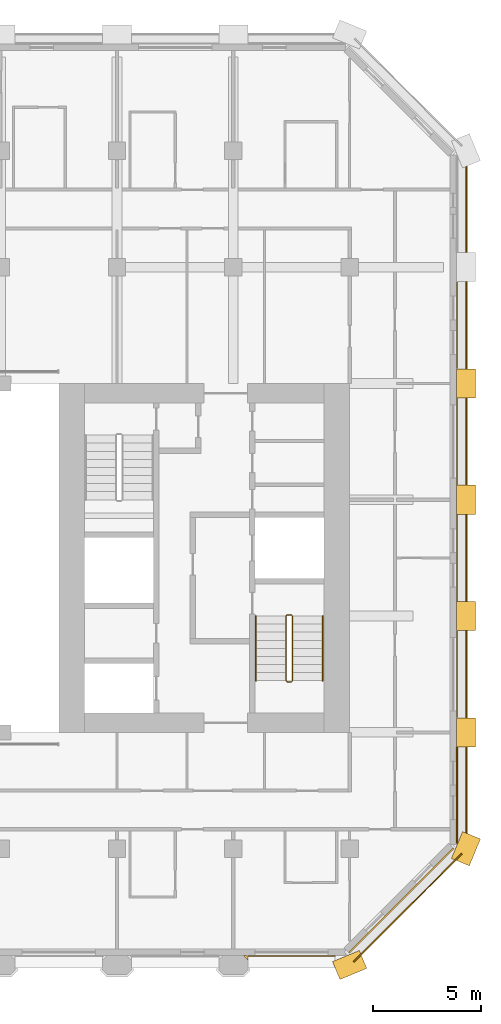
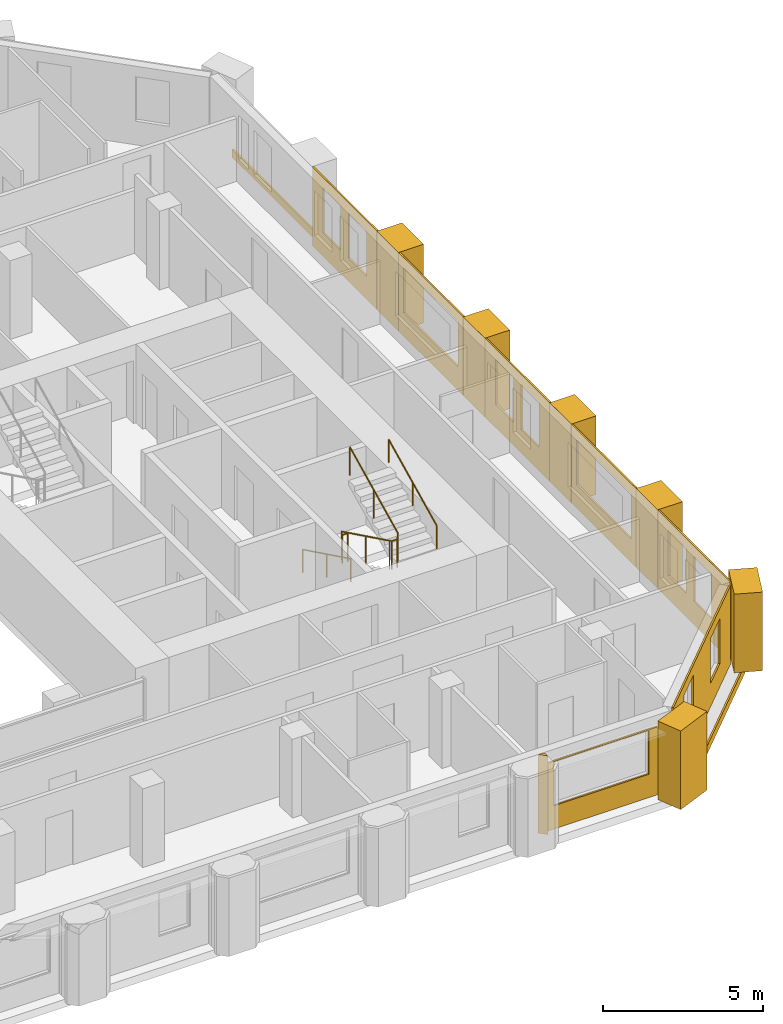
# One storey, part 11 of 12: 16 coverings, 3 railings.
"""IFC4 building model written with IfcOpenShell, lengths in metres."""

from ifc_helpers import new_model, si_unit, direction, frame, frame_2d, origin, origin_2d, place, context, subcontext, project, spatial, polyline, rectangle, circle, outline, extrude, material, layer, layer_set, type_object, element, save


model = new_model("IFC4")

# Units and contexts
model_context = context("Model", 3, precision=1e-05, world=origin(), true_north=direction((0.0, 1.0)))
body_context = subcontext(model_context, "Body", "Model", "MODEL_VIEW")
ifc_project = project(units=[si_unit("LENGTHUNIT", "METRE"), si_unit("AREAUNIT", "SQUARE_METRE"), si_unit("VOLUMEUNIT", "CUBIC_METRE"), si_unit("PLANEANGLEUNIT", "RADIAN"), si_unit("MASSUNIT", "GRAM", prefix="KILO")], contexts=[model_context])

# Site, building, storey
site_placement = place(None, origin())
site = spatial("IfcSite", under=ifc_project, at=site_placement, CompositionType="ELEMENT")
building_placement = place(site_placement, origin())
building = spatial("IfcBuilding", under=site, at=building_placement, Name="Tabaq Tower and Sports Hall", CompositionType="ELEMENT")
storey_placement = place(building_placement, frame((0.0, 0.0, 197.199951171875)))
storey = spatial("IfcBuildingStorey", under=building, at=storey_placement, Name="L48", CompositionType="ELEMENT", Elevation=197.199951171875)

# Coverings
ifc_material_1 = material(Name="Precast concrete C60/75", Category="concrete")
ifc_layer_1 = layer(ifc_material_1, 0.10009765625)
ifc_layer_set_1 = layer_set([ifc_layer_1], Name="Column cladding 100")
covering_type_1 = type_object("IfcCoveringType", Name="Column cladding 100", PredefinedType="CLADDING", material=ifc_layer_set_1)
covering_1_placement = place(storey_placement, origin())
element("IfcCovering", 1, at=covering_1_placement, inside=storey, type_object=covering_type_1, Name="Column cladding L48 PC-8B-H2 3", PredefinedType="CLADDING", context=body_context, shape_type="SweptSolid", body=[
    extrude(outline(polyline([(38.474365234375, 5.62646484375), (38.25146484375, 5.849365234375), (38.39111328125, 5.849365234375), (38.474365234375, 5.76611328125), (38.474365234375, 5.62646484375)])), origin(), (0.0, 0.0, 1.0), 3.0),
])
ifc_material_2 = material(Name="Precast concrete C60/75", Category="concrete")
ifc_layer_2 = layer(ifc_material_2, 0.06005859375)
ifc_layer_set_2 = layer_set([ifc_layer_2], Name="Edge beam cladding 60")
covering_type_2 = type_object("IfcCoveringType", Name="Edge beam cladding 60", PredefinedType="CLADDING", material=ifc_layer_set_2)
covering_2_placement = place(storey_placement, frame((43.39794921875, 5.5556640625, -0.300048828125), z_axis=(0.0, 0.0, 1.0), x_axis=(0.707124002701, 0.707089559252, 0.0)))
element("IfcCovering", 2, at=covering_2_placement, inside=storey, type_object=covering_type_2, Name="Edge beam cladding L48 1", PredefinedType="CLADDING", context=body_context, shape_type="SweptSolid", body=[
    extrude(rectangle(XDim=7.088134765625, YDim=0.06005859375, at=frame_2d((3.5439453125, 0.0))), origin(), (0.0, 0.0, 1.0), 0.300048828125),
])
covering_3_placement = place(storey_placement, frame((48.6298828125, 11.0986328125, -0.300048828125), z_axis=(0.0, 0.0, 1.0), x_axis=(0.0, 1.0, 0.0)))
element("IfcCovering", 3, at=covering_3_placement, inside=storey, type_object=covering_type_2, Name="Edge beam cladding L48 2", PredefinedType="CLADDING", context=body_context, shape_type="SweptSolid", body=[
    extrude(rectangle(XDim=31.802734375, YDim=0.06005859375, at=frame_2d((15.9013671875, 0.0))), origin(), (0.0, 0.0, 1.0), 0.300048828125),
])
ifc_material_3 = material(Name="White precast concrete C60/75", Category="concrete")
covering_type_3 = type_object("IfcCoveringType", Name="Pier cladding hung 1350x900", PredefinedType="CLADDING", material=ifc_material_3)
for number, where, z_axis, x_axis, name in (
    (4, (42.576416015625, 5.1416015625, 0.0), (0.0, 0.0, 1.0), (0.923893411637, 0.382649923473, 0.0), "Hung pier cladding 8/1"),
    (5, (48.341796875, 10.17626953125, 0.0), (0.0, 0.0, 1.0), (0.382649923473, 0.923893411637, 0.0), "Hung pier cladding 9/2"),
    (6, (48.60009765625, 15.52490234375, 0.0), (0.0, 0.0, 1.0), (0.0, 1.0, 0.0), "Hung pier cladding 9/3"),
):
    element("IfcCovering", number, at=place(storey_placement, frame(where, z_axis=z_axis, x_axis=x_axis)), inside=storey, type_object=covering_type_3, Name=name, PredefinedType="CLADDING", context=body_context, shape_type="SweptSolid", body=[
        extrude(rectangle(XDim=1.35009765625, YDim=0.89990234375, at=frame_2d((0.675048828125, 0.0))), origin(), (0.0, 0.0, 1.0), 3.0),
    ])
covering_4_placement = place(storey_placement, frame((48.60009765625, 20.925048828125, 0.0), z_axis=(0.0, 0.0, 1.0), x_axis=(0.0, 1.0, 0.0)))
element("IfcCovering", 7, at=covering_4_placement, inside=storey, type_object=covering_type_3, Name="Hung pier cladding 9/4", PredefinedType="CLADDING", context=body_context, shape_type="SweptSolid", body=[
    extrude(rectangle(XDim=1.349853515625, YDim=0.89990234375, at=frame_2d((0.6748046875, 0.0))), origin(), (0.0, 0.0, 1.0), 3.0),
])
covering_5_placement = place(storey_placement, frame((48.60009765625, 26.324951171875, 0.0), z_axis=(0.0, 0.0, 1.0), x_axis=(0.0, 1.0, 0.0)))
element("IfcCovering", 8, at=covering_5_placement, inside=storey, type_object=covering_type_3, Name="Hung pier cladding 9/5", PredefinedType="CLADDING", context=body_context, shape_type="SweptSolid", body=[
    extrude(rectangle(XDim=1.35009765625, YDim=0.89990234375, at=frame_2d((0.675048828125, 0.0))), origin(), (0.0, 0.0, 1.0), 3.0),
])
covering_6_placement = place(storey_placement, frame((48.60009765625, 31.72509765625, 0.0), z_axis=(0.0, 0.0, 1.0), x_axis=(0.0, 1.0, 0.0)))
element("IfcCovering", 9, at=covering_6_placement, inside=storey, type_object=covering_type_3, Name="Hung pier cladding 9/6", PredefinedType="CLADDING", context=body_context, shape_type="SweptSolid", body=[
    extrude(rectangle(XDim=1.349853515625, YDim=0.89990234375, at=frame_2d((0.6748046875, 0.0))), origin(), (0.0, 0.0, 1.0), 3.0),
])

# Railings
ifc_material_4 = material(Name="Stainless steel", Category="steel")
railing_type_1 = type_object("IfcRailingType", Name="Stair guard", PredefinedType="GUARDRAIL", material=ifc_material_4)
railing_1_placement = place(storey_placement, frame((40.5, 21.64990234375, 0.0)))
element("IfcRailing", 10, at=railing_1_placement, inside=storey, type_object=railing_type_1, Name="L48 ST3 stair guard 1", PredefinedType="GUARDRAIL", context=body_context, shape_type="SweptSolid", body=[
    extrude(circle(Radius=0.02392578125, at=origin_2d()), frame((0.0, 0.0, 1.076171875), z_axis=(-1.0, 0.0, 0.0), x_axis=(0.0, -1.0, 0.0)), (0.0, 0.0, 1.0), 0.199951171875),
    extrude(circle(Radius=0.02392578125, at=origin_2d()), frame((-0.199951171875, 0.0, 1.076171875), z_axis=(-0.254733673405, -0.25349107012, 0.933195066962), x_axis=(0.705375805398, -0.708833529934, 0.0)), (0.0, 0.0, 1.0), 0.196533203125),
    extrude(circle(Radius=0.02392578125, at=origin_2d()), frame((-0.25, -0.0498046875, 1.25927734375), z_axis=(0.0, -0.898368975038, 0.439241601728), x_axis=(1.0, 0.0, 0.0)), (0.0, 0.0, 1.0), 3.33935546875),
    extrude(circle(Radius=0.02392578125, at=origin_2d()), frame((-0.25, -3.0498046875, 2.72607421875), z_axis=(0.707106781187, -0.707106781187, 0.0), x_axis=(0.707106781187, 0.707106781187, 0.0)), (0.0, 0.0, 1.0), 0.07080078125),
    extrude(circle(Radius=0.02392578125, at=origin_2d()), frame((-0.199951171875, -3.099853515625, 2.72607421875), z_axis=(1.0, 0.0, 0.0), x_axis=(0.0, 1.0, 0.0)), (0.0, 0.0, 1.0), 0.199951171875),
    extrude(circle(Radius=0.02392578125, at=origin_2d()), frame((0.0, -3.099853515625, 2.72607421875), z_axis=(0.254653276557, 0.254653276557, 0.932900539971), x_axis=(-0.707106781187, 0.707106781187, 0.0)), (0.0, 0.0, 1.0), 0.196533203125),
    extrude(circle(Radius=0.02392578125, at=origin_2d()), frame((0.050048828125, -3.0498046875, 2.90966796875), z_axis=(0.0, 0.898397823093, 0.439182594671), x_axis=(-1.0, 0.0, 0.0)), (0.0, 0.0, 1.0), 3.33935546875),
    extrude(circle(Radius=0.02099609375, at=origin_2d()), origin(), (0.0, 0.0, 1.0), 1.052001953125),
    extrude(circle(Radius=0.02099609375, at=origin_2d()), frame((-0.199951171875, 0.0, 0.0)), (0.0, 0.0, 1.0), 1.052001953125),
    extrude(circle(Radius=0.02099609375, at=origin_2d()), frame((-0.25, -0.0498046875, 0.183349609375)), (0.0, 0.0, 1.0), 1.052001953125),
    extrude(circle(Radius=0.02099609375, at=origin_2d()), frame((-0.25, -1.5498046875, 0.916748046875)), (0.0, 0.0, 1.0), 1.052001953125),
    extrude(circle(Radius=0.02099609375, at=origin_2d()), frame((-0.25, -3.0498046875, 1.650146484375)), (0.0, 0.0, 1.0), 1.052001953125),
    extrude(circle(Radius=0.02099609375, at=origin_2d()), frame((-0.199951171875, -3.099853515625, 1.650146484375)), (0.0, 0.0, 1.0), 1.052001953125),
    extrude(circle(Radius=0.02099609375, at=origin_2d()), frame((0.0, -3.099853515625, 1.650146484375)), (0.0, 0.0, 1.0), 1.052001953125),
    extrude(circle(Radius=0.02099609375, at=origin_2d()), frame((0.050048828125, -3.0498046875, 1.83349609375)), (0.0, 0.0, 1.0), 1.052001953125),
    extrude(circle(Radius=0.02099609375, at=origin_2d()), frame((0.050048828125, -1.5498046875, 2.56689453125)), (0.0, 0.0, 1.0), 1.052001953125),
    extrude(circle(Radius=0.02099609375, at=origin_2d()), frame((0.050048828125, -0.0498046875, 3.300048828125)), (0.0, 0.0, 1.0), 1.052001953125),
])
ifc_material_5 = material(Name="Stainless steel", Category="steel")
railing_type_2 = type_object("IfcRailingType", Name="Stair handrail", PredefinedType="HANDRAIL", material=ifc_material_5)
railing_2_placement = place(storey_placement, frame((38.85009765625, 21.60009765625, 0.183349609375)))
element("IfcRailing", 11, at=railing_2_placement, inside=storey, type_object=railing_type_2, Name="L48 ST3 stair handrail 1", PredefinedType="HANDRAIL", context=body_context, shape_type="SweptSolid", body=[
    extrude(circle(Radius=0.02392578125, at=origin_2d()), frame((0.0, 0.0, 0.8759765625), z_axis=(0.0, -0.898368975038, 0.439241601728), x_axis=(1.0, 0.0, 0.0)), (0.0, 0.0, 1.0), 3.33935546875),
    extrude(circle(Radius=0.02099609375, at=origin_2d()), origin(), (0.0, 0.0, 1.0), 0.851806640625),
    extrude(circle(Radius=0.02099609375, at=origin_2d()), frame((0.0, -1.5, 0.7333984375)), (0.0, 0.0, 1.0), 0.851806640625),
    extrude(circle(Radius=0.02099609375, at=origin_2d()), frame((0.0, -3.0, 1.466796875)), (0.0, 0.0, 1.0), 0.851806640625),
])
railing_3_placement = place(storey_placement, frame((41.949951171875, 18.60009765625, 1.83349609375)))
element("IfcRailing", 12, at=railing_3_placement, inside=storey, type_object=railing_type_2, Name="L48 ST3 stair handrail 2", PredefinedType="HANDRAIL", context=body_context, shape_type="SweptSolid", body=[
    extrude(circle(Radius=0.02392578125, at=origin_2d()), frame((0.0, 0.0, 0.8759765625), z_axis=(0.0, 0.898397823093, 0.439182594671), x_axis=(-1.0, 0.0, 0.0)), (0.0, 0.0, 1.0), 3.33935546875),
    extrude(circle(Radius=0.02099609375, at=origin_2d()), origin(), (0.0, 0.0, 1.0), 0.851806640625),
    extrude(circle(Radius=0.02099609375, at=origin_2d()), frame((0.0, 1.5, 0.7333984375)), (0.0, 0.0, 1.0), 0.851806640625),
    extrude(circle(Radius=0.02099609375, at=origin_2d()), frame((0.0, 3.0, 1.466552734375)), (0.0, 0.0, 1.0), 0.851806640625),
])

# Coverings
ifc_material_6 = material(Name="Precast concrete C60/75", Category="concrete")
ifc_layer_3 = layer(ifc_material_6, 0.06005859375)
ifc_layer_set_3 = layer_set([ifc_layer_3], Name="White precast cladding panel 60 C60/75")
covering_type_4 = type_object("IfcCoveringType", Name="White precast cladding panel 60 C60/75", PredefinedType="CLADDING", material=ifc_layer_set_3)
covering_7_placement = place(storey_placement, frame((38.485107421875, 5.820068359375, 0.0), z_axis=(0.0, 0.0, 1.0), x_axis=(1.0, 0.0, 0.0)))
element("IfcCovering", 13, at=covering_7_placement, inside=storey, type_object=covering_type_4, Name="White precast cladding panel L48 wall00 6", PredefinedType="CLADDING", context=body_context, shape_type="SweptSolid", body=[
    extrude(outline(polyline([(0.0, 0.0), (4.0498046875, 0.0), (4.0498046875, 2.590087890625), (0.0, 2.590087890625), (0.0, 0.0)]), holes=[polyline([(3.72509765625, 0.89013671875), (0.304931640625, 0.89013671875), (0.304931640625, 2.56005859375), (3.72509765625, 2.56005859375), (3.72509765625, 0.89013671875)])]), frame((0.0, 0.030029296875, 0.0), z_axis=(0.0, -1.0, 0.0), x_axis=(1.0, 0.0, 0.0)), (0.0, 0.0, 1.0), 0.06005859375),
])
covering_8_placement = place(storey_placement, frame((43.177734375, 5.9716796875, 0.0), z_axis=(0.0, 0.0, 1.0), x_axis=(0.707106781187, 0.707106781187, 0.0)))
element("IfcCovering", 14, at=covering_8_placement, inside=storey, type_object=covering_type_4, Name="White precast cladding panel L48 wall01", PredefinedType="CLADDING", context=body_context, shape_type="SweptSolid", body=[
    extrude(outline(polyline([(0.0, 0.0), (6.85986328125, 0.0), (6.85986328125, 3.0), (0.0, 3.0), (0.0, 0.0)]), holes=[polyline([(1.269775390625, 2.610107421875), (2.389892578125, 2.610107421875), (2.389892578125, 0.89013671875), (1.269775390625, 0.89013671875), (1.269775390625, 2.610107421875)]), polyline([(4.4697265625, 2.610107421875), (5.58984375, 2.610107421875), (5.58984375, 0.89013671875), (4.4697265625, 0.89013671875), (4.4697265625, 2.610107421875)])]), frame((0.0, 0.030029296875, 0.0), z_axis=(0.0, -1.0, 0.0), x_axis=(1.0, 0.0, 0.0)), (0.0, 0.0, 1.0), 0.06005859375),
])
covering_9_placement = place(storey_placement, frame((48.179931640625, 11.043212890625, 0.0), z_axis=(0.0, 0.0, 1.0), x_axis=(0.0, 1.0, 0.0)))
element("IfcCovering", 15, at=covering_9_placement, inside=storey, type_object=covering_type_4, Name="White precast cladding panel L48 wall02", PredefinedType="CLADDING", context=body_context, shape_type="SweptSolid", body=[
    extrude(outline(polyline([(0.0, 0.0), (4.4716796875, 0.0), (4.4716796875, 3.0), (0.0, 3.0), (0.0, 0.0)]), holes=[polyline([(1.096923828125, 2.610107421875), (2.216796875, 2.610107421875), (2.216796875, 0.89013671875), (1.096923828125, 0.89013671875), (1.096923828125, 2.610107421875)]), polyline([(2.69677734375, 2.610107421875), (3.81689453125, 2.610107421875), (3.81689453125, 0.89013671875), (2.69677734375, 0.89013671875), (2.69677734375, 2.610107421875)])]), frame((0.0, 0.030029296875, 0.0), z_axis=(0.0, -1.0, 0.0), x_axis=(1.0, 0.0, 0.0)), (0.0, 0.0, 1.0), 0.06005859375),
])
covering_10_placement = place(storey_placement, frame((48.179931640625, 16.885009765625, 0.0), z_axis=(0.0, 0.0, 1.0), x_axis=(0.0, 1.0, 0.0)))
element("IfcCovering", 16, at=covering_10_placement, inside=storey, type_object=covering_type_4, Name="White precast cladding panel L48 wall02 2", PredefinedType="CLADDING", context=body_context, shape_type="SweptSolid", body=[
    extrude(outline(polyline([(0.0, 0.0), (4.030029296875, 0.0), (4.030029296875, 3.0), (0.0, 3.0), (0.0, 0.0)]), holes=[polyline([(0.304931640625, 0.89013671875), (0.304931640625, 2.610107421875), (3.72509765625, 2.610107421875), (3.72509765625, 0.89013671875), (0.304931640625, 0.89013671875)])]), frame((0.0, 0.030029296875, 0.0), z_axis=(0.0, -1.0, 0.0), x_axis=(1.0, 0.0, 0.0)), (0.0, 0.0, 1.0), 0.06005859375),
])
covering_11_placement = place(storey_placement, frame((48.179931640625, 22.284912109375, 0.0), z_axis=(0.0, 0.0, 1.0), x_axis=(0.0, 1.0, 0.0)))
element("IfcCovering", 17, at=covering_11_placement, inside=storey, type_object=covering_type_4, Name="White precast cladding panel L48 wall02 3", PredefinedType="CLADDING", context=body_context, shape_type="SweptSolid", body=[
    extrude(outline(polyline([(0.0, 0.0), (4.030029296875, 0.0), (4.030029296875, 3.0), (0.0, 3.0), (0.0, 0.0)]), holes=[polyline([(0.655029296875, 2.610107421875), (1.77490234375, 2.610107421875), (1.77490234375, 0.89013671875), (0.655029296875, 0.89013671875), (0.655029296875, 2.610107421875)]), polyline([(2.2548828125, 2.610107421875), (3.375, 2.610107421875), (3.375, 0.89013671875), (2.2548828125, 0.89013671875), (2.2548828125, 2.610107421875)])]), frame((0.0, 0.030029296875, 0.0), z_axis=(0.0, -1.0, 0.0), x_axis=(1.0, 0.0, 0.0)), (0.0, 0.0, 1.0), 0.06005859375),
])
covering_12_placement = place(storey_placement, frame((48.179931640625, 27.68505859375, 0.0), z_axis=(0.0, 0.0, 1.0), x_axis=(0.0, 1.0, 0.0)))
element("IfcCovering", 18, at=covering_12_placement, inside=storey, type_object=covering_type_4, Name="White precast cladding panel L48 wall02 4", PredefinedType="CLADDING", context=body_context, shape_type="SweptSolid", body=[
    extrude(outline(polyline([(0.0, 0.0), (4.030029296875, 0.0), (4.030029296875, 3.0), (0.0, 3.0), (0.0, 0.0)]), holes=[polyline([(0.304931640625, 0.89013671875), (0.304931640625, 2.610107421875), (3.72509765625, 2.610107421875), (3.72509765625, 0.89013671875), (0.304931640625, 0.89013671875)])]), frame((0.0, 0.030029296875, 0.0), z_axis=(0.0, -1.0, 0.0), x_axis=(1.0, 0.0, 0.0)), (0.0, 0.0, 1.0), 0.06005859375),
])
covering_13_placement = place(storey_placement, frame((48.179931640625, 33.0849609375, 0.0), z_axis=(0.0, 0.0, 1.0), x_axis=(0.0, 1.0, 0.0)))
element("IfcCovering", 19, at=covering_13_placement, inside=storey, type_object=covering_type_4, Name="White precast cladding panel L48 wall02 5", PredefinedType="CLADDING", context=body_context, shape_type="SweptSolid", body=[
    extrude(outline(polyline([(0.0, 0.0), (4.030029296875, 0.0), (4.030029296875, 3.0), (0.0, 3.0), (0.0, 0.0)]), holes=[polyline([(0.655029296875, 2.610107421875), (1.77490234375, 2.610107421875), (1.77490234375, 0.89013671875), (0.655029296875, 0.89013671875), (0.655029296875, 2.610107421875)]), polyline([(2.2548828125, 2.610107421875), (3.375, 2.610107421875), (3.375, 0.89013671875), (2.2548828125, 0.89013671875), (2.2548828125, 2.610107421875)])]), frame((0.0, 0.030029296875, 0.0), z_axis=(0.0, -1.0, 0.0), x_axis=(1.0, 0.0, 0.0)), (0.0, 0.0, 1.0), 0.06005859375),
])

save(model, "model.ifc")
